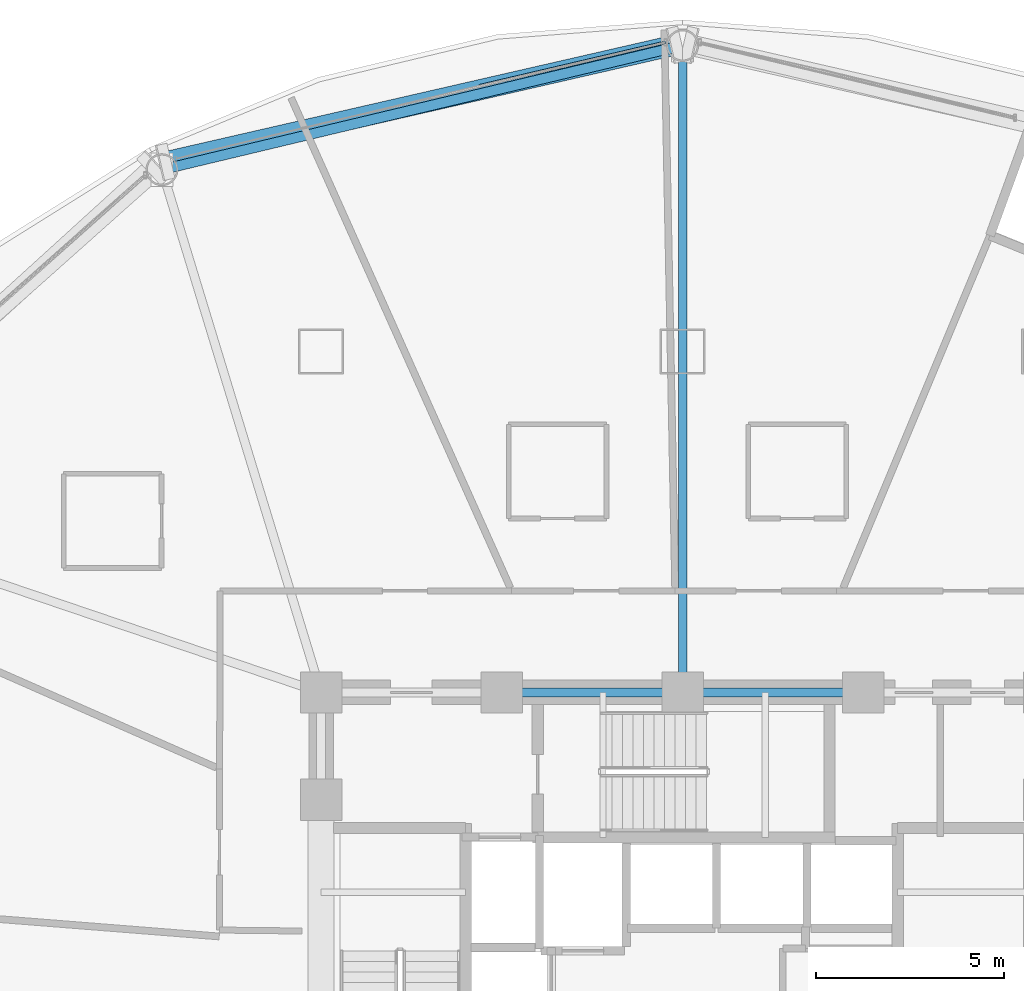
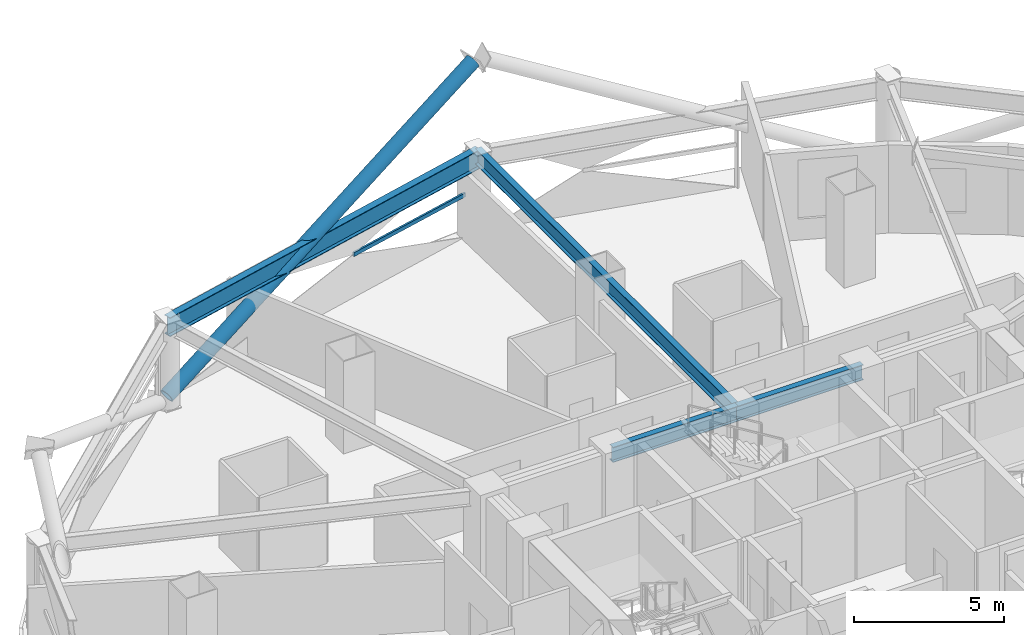
# One storey, part 16 of 33: 4 beams, 2 members, 1 element without a shape of its own.
"""IFC4 building model written with IfcOpenShell, lengths in metres."""

from ifc_helpers import new_model, si_unit, direction, frame, origin, origin_2d, place, context, subcontext, project, spatial, hollow_rectangle, hollow_circle, i_section, extrude, material, layer, layer_set, material_profile, profile_set, type_object, element, aggregate, save


model = new_model("IFC4")

# Units and contexts
model_context = context("Model", 3, precision=1e-05, world=origin(), true_north=direction((0.0, 1.0)))
body_context = subcontext(model_context, "Body", "Model", "MODEL_VIEW")
ifc_project = project(units=[si_unit("LENGTHUNIT", "METRE"), si_unit("AREAUNIT", "SQUARE_METRE"), si_unit("VOLUMEUNIT", "CUBIC_METRE"), si_unit("PLANEANGLEUNIT", "RADIAN"), si_unit("MASSUNIT", "GRAM", prefix="KILO")], contexts=[model_context])

# Site, building, storey
site_placement = place(None, origin())
site = spatial("IfcSite", under=ifc_project, at=site_placement, CompositionType="ELEMENT")
building_placement = place(site_placement, origin())
building = spatial("IfcBuilding", under=site, at=building_placement, Name="Vantalir Tower", CompositionType="ELEMENT")
storey_placement = place(building_placement, frame((0.0, 0.0, 72.0)))
storey = spatial("IfcBuildingStorey", under=building, at=storey_placement, Name="L17", CompositionType="ELEMENT", Elevation=72.0)

# Beams
ifc_material_1 = material(Name="Steel S355", Category="steel")
ifc_material_profile_1 = material_profile(ifc_material_1, i_section(OverallWidth=0.22998046875, OverallDepth=0.616943359375, WebThickness=0.01318359375, FlangeThickness=0.022216796875, at=origin_2d()), Name="Steel S355")
ifc_profile_set_1 = profile_set([ifc_material_profile_1], Name="Steel S355")
beam_type_1 = type_object("IfcBeamType", Name="BM-RB-610x229", PredefinedType="BEAM", material=ifc_profile_set_1)
for number, where, z_axis, x_axis, name in (
    (1, (36.300048828125, 32.449951171875, 3.261962890625), (-1.0, 0.0, 0.0), (0.0, -1.0, 0.0), "L17 Core Coupling Girder 09"),
    (2, (31.5, 32.449951171875, 3.261962890625), (-1.0, 0.0, 0.0), (0.0, -1.0, 0.0), "L17 Core Coupling Girder 10"),
):
    element("IfcBeam", number, at=place(storey_placement, frame(where, z_axis=z_axis, x_axis=x_axis)), inside=storey, type_object=beam_type_1, Name=name, PredefinedType="BEAM", context=body_context, shape_type="SweptSolid", body=[
        extrude(i_section(OverallWidth=0.22998046875, OverallDepth=0.616943359375, WebThickness=0.01318359375, FlangeThickness=0.022216796875, at=origin_2d()), origin(), (0.0, 0.0, 1.0), 4.800048828125),
    ])
beam_1_placement = place(storey_placement, frame((31.5, 49.62890625, 3.261962890625), z_axis=(0.0, -1.0, 0.0), x_axis=(1.0, 0.0, 0.0)))
element("IfcBeam", 3, at=beam_1_placement, inside=storey, type_object=beam_type_1, Name="L17 Radial Floor Beam 04", PredefinedType="BEAM", context=body_context, shape_type="SweptSolid", body=[
    extrude(i_section(OverallWidth=0.22998046875, OverallDepth=0.616943359375, WebThickness=0.01318359375, FlangeThickness=0.022216796875, at=origin_2d()), origin(), (0.0, 0.0, 1.0), 17.178955078125),
])
ifc_material_2 = material(Name="Steel S460", Category="steel")
ifc_material_profile_2 = material_profile(ifc_material_2, i_section(OverallWidth=0.26806640625, OverallDepth=0.77001953125, WebThickness=0.015625, FlangeThickness=0.025390625, at=origin_2d()), Name="Steel S460")
ifc_profile_set_2 = profile_set([ifc_material_profile_2], Name="Steel S460")
beam_type_2 = type_object("IfcBeamType", Name="BM-RG-762x267", PredefinedType="USERDEFINED", material=ifc_profile_set_2)
beam_2_placement = place(storey_placement, frame((31.5, 49.62890625, 3.18505859375), z_axis=(-0.972676867925, -0.232163112064, 0.0), x_axis=(0.232163112064, -0.972676867925, 0.0)))
element("IfcBeam", 4, at=beam_2_placement, inside=storey, type_object=beam_type_2, Name="L17 Circumferential Ring Girder 04", ObjectType="GIRDER", PredefinedType="USERDEFINED", context=body_context, shape_type="SweptSolid", body=[
    extrude(i_section(OverallWidth=0.26806640625, OverallDepth=0.77001953125, WebThickness=0.015625, FlangeThickness=0.025390625, at=origin_2d()), origin(), (0.0, 0.0, 1.0), 14.21337890625),
])

# Curtain wall, member
ifc_material_3 = material(Name="Champagne-silver PVDF aluminium and double-silver Low-E glass", Category="aluminium")
ifc_layer = layer(ifc_material_3, 0.18994140625)
ifc_layer_set = layer_set([ifc_layer], Name="Champagne-silver PVDF aluminium and double-silver Low-E glass")
curtain_wall_type = type_object("IfcCurtainWallType", Name="CW-DIAMOND-Z1", PredefinedType="USERDEFINED", material=ifc_layer_set)
curtain_wall_placement = place(storey_placement, origin())
curtain_wall = element("IfcCurtainWall", 5, at=curtain_wall_placement, inside=storey, type_object=curtain_wall_type, Name="L17 Quilted Pyramid-Diamond Curtain Wall S04", ObjectType="UNITISED CURTAIN WALL", PredefinedType="USERDEFINED")
ifc_material_4 = material(Name="Champagne-silver PVDF aluminium 6063-T6", Category="aluminium")
ifc_material_profile_3 = material_profile(ifc_material_4, hollow_rectangle(XDim=0.074951171875, YDim=0.159912109375, WallThickness=0.00390625, at=origin_2d()), Name="Champagne-silver PVDF aluminium 6063-T6")
ifc_profile_set_3 = profile_set([ifc_material_profile_3], Name="Champagne-silver PVDF aluminium 6063-T6")
member_type_1 = type_object("IfcMemberType", Name="CWT-160x75", PredefinedType="USERDEFINED", material=ifc_profile_set_3)
member_1_placement = place(storey_placement, frame((31.04296875, 49.7099609375, 1.784912109375), z_axis=(-0.973734430694, -0.227686755171, 0.0), x_axis=(0.227686755171, -0.973734430694, 0.0)))
member_1 = element("IfcMember", 6, at=member_1_placement, type_object=member_type_1, Name="CW-L17-S04 Pyramid Fold Ridge Transom", ObjectType="TRANSOM", PredefinedType="USERDEFINED", context=body_context, shape_type="SweptSolid", body=[
    extrude(hollow_rectangle(XDim=0.074951171875, YDim=0.159912109375, WallThickness=0.00390625, at=origin_2d()), origin(), (0.0, 0.0, 1.0), 5.08154296875),
])
aggregate(curtain_wall, [member_1])

# Member
ifc_material_profile_4 = material_profile(ifc_material_2, hollow_circle(Radius=0.27001953125, WallThickness=0.044921875, at=origin_2d()), Name="Steel S460")
ifc_profile_set_4 = profile_set([ifc_material_profile_4], Name="Steel S460")
member_type_2 = type_object("IfcMemberType", Name="MEM-DB-540x45", PredefinedType="BRACE", material=ifc_profile_set_4)
member_2_placement = place(storey_placement, frame((17.77197265625, 46.5380859375, 0.178955078125), z_axis=(0.871347449948, 0.19974796351, 0.448167795076), x_axis=(-0.223444359714, 0.974716686074, 0.0)))
element("IfcMember", 7, at=member_2_placement, inside=storey, type_object=member_type_2, Name="L17 Perimeter S460 Diagrid Brace R13R", PredefinedType="BRACE", context=body_context, shape_type="SweptSolid", body=[
    extrude(hollow_circle(Radius=0.27001953125, WallThickness=0.044921875, at=origin_2d()), origin(), (0.0, 0.0, 1.0), 15.53466796875),
])

save(model, "model.ifc")
